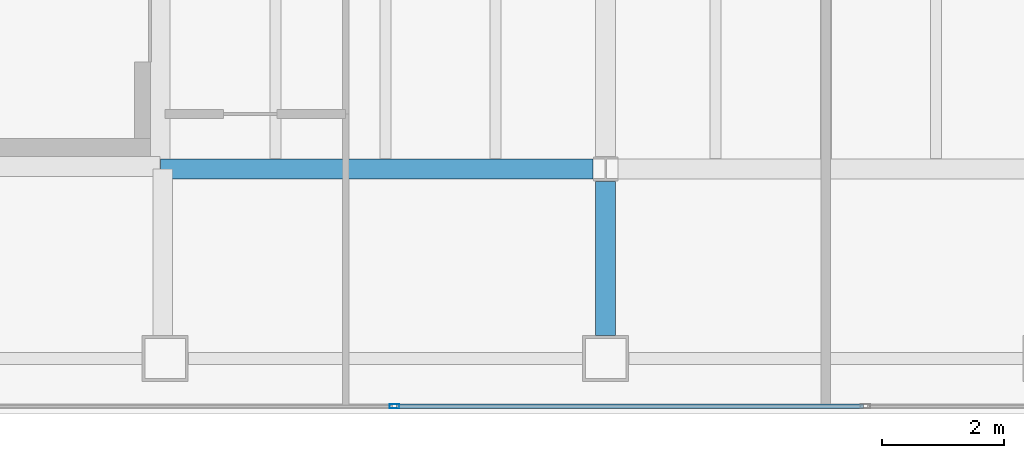
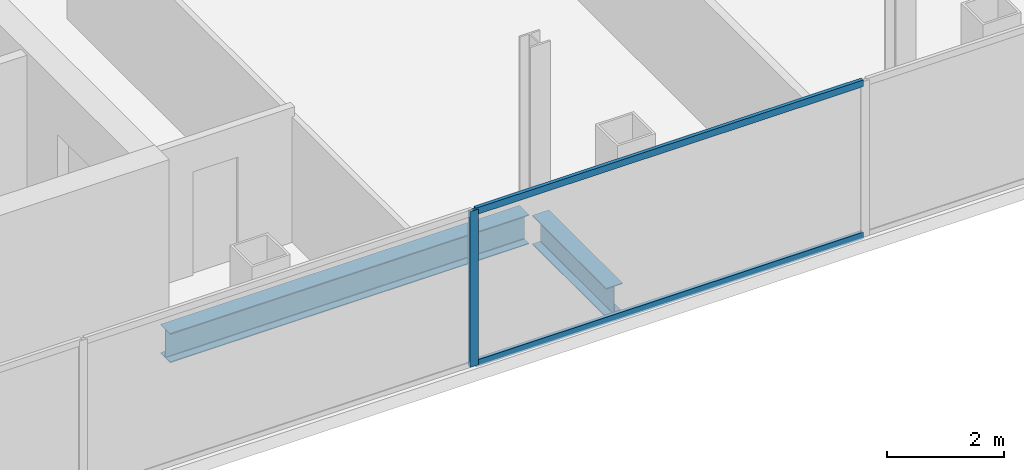
# One storey, part 4 of 23: 3 members, 2 beams, 1 element without a shape of its own.
"""IFC4 building model written with IfcOpenShell, lengths in metres."""

from ifc_helpers import new_model, si_unit, direction, frame, origin, origin_2d, place, context, subcontext, project, spatial, hollow_rectangle, i_section, extrude, material, material_profile, profile_set, type_object, element, aggregate, save


model = new_model("IFC4")

# Units and contexts
model_context = context("Model", 3, precision=1e-05, world=origin(), true_north=direction((0.0, 1.0)))
body_context = subcontext(model_context, "Body", "Model", "MODEL_VIEW")
ifc_project = project(units=[si_unit("LENGTHUNIT", "METRE"), si_unit("AREAUNIT", "SQUARE_METRE"), si_unit("VOLUMEUNIT", "CUBIC_METRE"), si_unit("PLANEANGLEUNIT", "RADIAN"), si_unit("MASSUNIT", "GRAM", prefix="KILO")], contexts=[model_context])

# Site, building, storey
site_placement = place(None, origin())
site = spatial("IfcSite", under=ifc_project, at=site_placement, CompositionType="ELEMENT")
building_placement = place(site_placement, origin())
building = spatial("IfcBuilding", under=site, at=building_placement, Name="Cobrela Telecom Tower", CompositionType="ELEMENT")
storey_placement = place(building_placement, frame((0.0, 0.0, 211.75)))
storey = spatial("IfcBuildingStorey", under=building, at=storey_placement, Name="L54", CompositionType="ELEMENT", Elevation=211.75)

# Beams
ifc_material_1 = material(Name="Steel ASTM A992 Grade 50", Category="steel")
ifc_material_profile_1 = material_profile(ifc_material_1, i_section(OverallWidth=0.324951171875, OverallDepth=0.612060546875, WebThickness=0.0126953125, FlangeThickness=0.01904296875, FilletRadius=0.014892578125, at=origin_2d()), Name="W24X104")
ifc_profile_set_1 = profile_set([ifc_material_profile_1], Name="Steel ASTM A992 Grade 50")
beam_type = type_object("IfcBeamType", Name="BM-GIRD-07", PredefinedType="USERDEFINED", material=ifc_profile_set_1)
beam_1_placement = place(storey_placement, frame((14.324951171875, 7.199951171875, -0.56591796875), z_axis=(1.0, 0.0, 0.0), x_axis=(0.0, 1.0, 0.0)))
element("IfcBeam", 1, at=beam_1_placement, inside=storey, type_object=beam_type, Name="L54 Primary Girder X07", ObjectType="GIRDER", PredefinedType="USERDEFINED", context=body_context, shape_type="SweptSolid", body=[
    extrude(i_section(OverallWidth=0.324951171875, OverallDepth=0.612060546875, WebThickness=0.0126953125, FlangeThickness=0.01904296875, FilletRadius=0.014892578125, at=origin_2d()), origin(), (0.0, 0.0, 1.0), 7.070556640625),
])
beam_2_placement = place(storey_placement, frame((21.60009765625, 4.47998046875, -0.56591796875), z_axis=(0.0, 1.0, 0.0), x_axis=(-1.0, 0.0, 0.0)))
element("IfcBeam", 2, at=beam_2_placement, inside=storey, type_object=beam_type, Name="L54 Primary Girder Y32", ObjectType="GIRDER", PredefinedType="USERDEFINED", context=body_context, shape_type="SweptSolid", body=[
    extrude(i_section(OverallWidth=0.324951171875, OverallDepth=0.612060546875, WebThickness=0.0126953125, FlangeThickness=0.01904296875, FilletRadius=0.014892578125, at=origin_2d()), origin(), (0.0, 0.0, 1.0), 2.515625),
])

# Curtain wall, members
ifc_material_2 = material(Name="Anodized Bronze Aluminium 6063-T6", Category="aluminium")
curtain_wall_type = type_object("IfcCurtainWallType", Name="CW-SYS-OFF-LO", PredefinedType="USERDEFINED", material=ifc_material_2)
curtain_wall_placement = place(storey_placement, origin())
curtain_wall = element("IfcCurtainWall", 3, at=curtain_wall_placement, inside=storey, type_object=curtain_wall_type, Name="L54 Unitised Bronze Curtain Wall 17", ObjectType="UNITISED CURTAIN WALL", PredefinedType="USERDEFINED")
ifc_material_profile_2 = material_profile(ifc_material_2, hollow_rectangle(XDim=0.070068359375, YDim=0.159912109375, WallThickness=0.00390625, at=origin_2d()), Name="ALU 70x160x4")
ifc_profile_set_2 = profile_set([ifc_material_profile_2], Name="Anodized Bronze Aluminium 6063-T6")
member_type_1 = type_object("IfcMemberType", Name="CW-SYS-OFF-LO-MUL", PredefinedType="MULLION", material=ifc_profile_set_2)
member_1_placement = place(storey_placement, frame((18.14990234375, 3.320068359375, 0.0), z_axis=(0.0, 0.0, 1.0), x_axis=(0.0, -1.0, 0.0)))
member_1 = element("IfcMember", 4, at=member_1_placement, type_object=member_type_1, Name="CW-OFF-LO mullion 4", PredefinedType="MULLION", context=body_context, shape_type="SweptSolid", body=[
    extrude(hollow_rectangle(XDim=0.070068359375, YDim=0.159912109375, WallThickness=0.00390625, at=origin_2d()), origin(), (0.0, 0.0, 1.0), 3.239990234375),
])
ifc_material_profile_3 = material_profile(ifc_material_2, hollow_rectangle(XDim=0.070068359375, YDim=0.139892578125, WallThickness=0.00390625, at=origin_2d()), Name="ALU 70x140x4")
ifc_profile_set_3 = profile_set([ifc_material_profile_3], Name="Anodized Bronze Aluminium 6063-T6")
member_type_2 = type_object("IfcMemberType", Name="CW-SYS-OFF-LO-TRN", PredefinedType="USERDEFINED", material=ifc_profile_set_3)
member_2_placement = place(storey_placement, frame((25.81494140625, 3.320068359375, 0.034912109375), z_axis=(-1.0, 0.0, 0.0), x_axis=(0.0, -1.0, 0.0)))
member_2 = element("IfcMember", 5, at=member_2_placement, type_object=member_type_2, Name="CW-OFF-LO transom 3.1", ObjectType="TRANSOM", PredefinedType="USERDEFINED", context=body_context, shape_type="SweptSolid", body=[
    extrude(hollow_rectangle(XDim=0.070068359375, YDim=0.139892578125, WallThickness=0.00390625, at=origin_2d()), origin(), (0.0, 0.0, 1.0), 7.6298828125),
])
member_3_placement = place(storey_placement, frame((25.81494140625, 3.320068359375, 3.205078125), z_axis=(-1.0, 0.0, 0.0), x_axis=(0.0, -1.0, 0.0)))
member_3 = element("IfcMember", 6, at=member_3_placement, type_object=member_type_2, Name="CW-OFF-LO transom 3.2", ObjectType="TRANSOM", PredefinedType="USERDEFINED", context=body_context, shape_type="SweptSolid", body=[
    extrude(hollow_rectangle(XDim=0.070068359375, YDim=0.139892578125, WallThickness=0.00390625, at=origin_2d()), origin(), (0.0, 0.0, 1.0), 7.6298828125),
])
aggregate(curtain_wall, [member_1, member_2, member_3])

save(model, "model.ifc")
